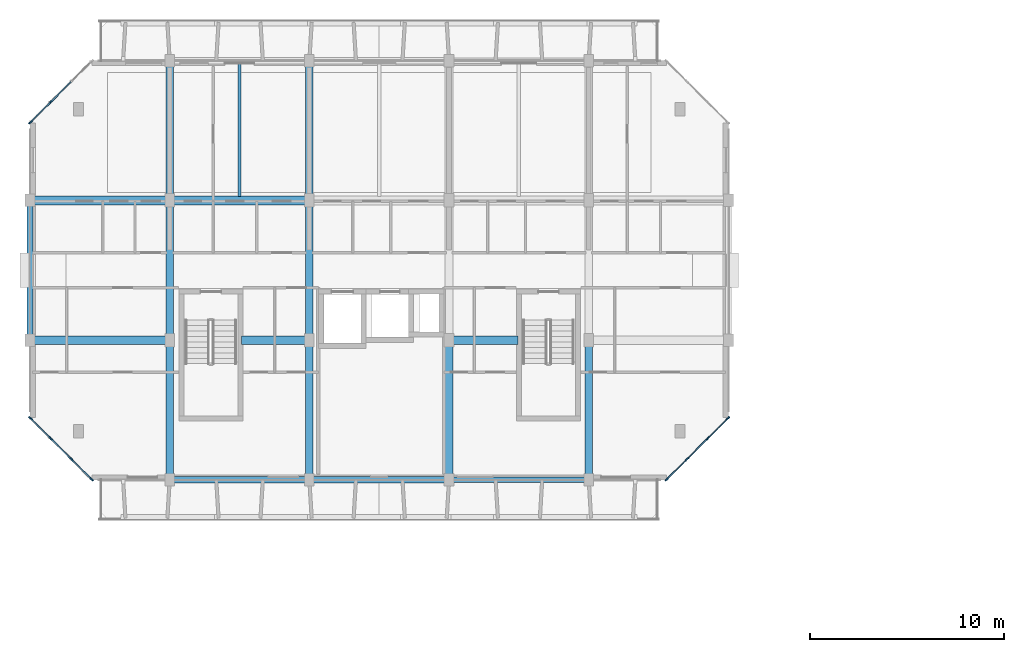
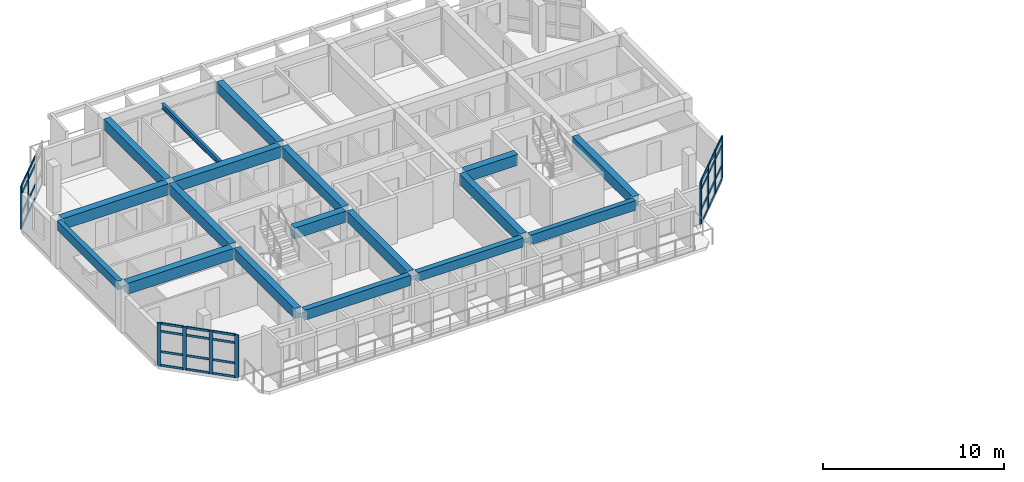
# One storey, part 4 of 43: 42 members, 18 beams, 3 elements without a shape of their own.
"""IFC4 building model written with IfcOpenShell, lengths in metres."""

from ifc_helpers import new_model, si_unit, direction, frame, origin, origin_2d, place, context, subcontext, project, spatial, rectangle, i_section, extrude, material, layer, layer_set, material_profile, profile_set, type_object, element, aggregate, save


model = new_model("IFC4")

# Units and contexts
model_context = context("Model", 3, precision=1e-05, world=origin(), true_north=direction((0.0, 1.0)))
body_context = subcontext(model_context, "Body", "Model", "MODEL_VIEW")
ifc_project = project(units=[si_unit("LENGTHUNIT", "METRE"), si_unit("AREAUNIT", "SQUARE_METRE"), si_unit("VOLUMEUNIT", "CUBIC_METRE"), si_unit("PLANEANGLEUNIT", "RADIAN"), si_unit("MASSUNIT", "GRAM", prefix="KILO")], contexts=[model_context])

# Site, building, storey
site_placement = place(None, origin())
site = spatial("IfcSite", under=ifc_project, at=site_placement, CompositionType="ELEMENT")
building_placement = place(site_placement, origin())
building = spatial("IfcBuilding", under=site, at=building_placement, Name="Ochrevale Crest", CompositionType="ELEMENT")
storey_placement = place(building_placement, frame((0.0, 0.0, 15.0)))
storey = spatial("IfcBuildingStorey", under=building, at=storey_placement, Name="L04", CompositionType="ELEMENT", Elevation=15.0)

# Beams
ifc_material_1 = material(Name="Precast concrete C50/60", Category="concrete")
ifc_material_profile_1 = material_profile(ifc_material_1, rectangle(XDim=0.39990234375, YDim=0.699951171875, at=origin_2d()), Name="PC 400x700")
ifc_profile_set_1 = profile_set([ifc_material_profile_1], Name="Precast concrete C50/60")
beam_type_1 = type_object("IfcBeamType", Name="BM-PC400x700", PredefinedType="BEAM", material=ifc_profile_set_1)
for number, where, z_axis, x_axis, name in (
    (1, (7.199951171875, 72.22998046875, 2.800048828125), (0.0, 1.0, 0.0), (-1.0, 0.0, 0.0), "Block B L04 N-S beam X=7.2"),
    (2, (7.199951171875, 79.429931640625, 2.800048828125), (0.0, 1.0, 0.0), (-1.0, 0.0, 0.0), "Block B L04 N-S beam X=7.2"),
):
    element("IfcBeam", number, at=place(storey_placement, frame(where, z_axis=z_axis, x_axis=x_axis)), inside=storey, type_object=beam_type_1, Name=name, PredefinedType="BEAM", context=body_context, shape_type="SweptSolid", body=[
        extrude(rectangle(XDim=0.39990234375, YDim=0.699951171875, at=origin_2d()), origin(), (0.0, 0.0, 1.0), 6.739990234375),
    ])
beam_1_placement = place(storey_placement, frame((7.199951171875, 86.6298828125, 2.800048828125), z_axis=(0.0, 1.0, 0.0), x_axis=(-1.0, 0.0, 0.0)))
element("IfcBeam", 3, at=beam_1_placement, inside=storey, type_object=beam_type_1, Name="Block B L04 N-S beam X=7.2", PredefinedType="BEAM", context=body_context, shape_type="SweptSolid", body=[
    extrude(rectangle(XDim=0.39990234375, YDim=0.699951171875, at=origin_2d()), origin(), (0.0, 0.0, 1.0), 6.740234375),
])
for number, where, z_axis, x_axis, name in (
    (4, (14.39990234375, 72.22998046875, 2.800048828125), (0.0, 1.0, 0.0), (-1.0, 0.0, 0.0), "Block B L04 N-S beam X=14.4"),
    (5, (14.39990234375, 79.429931640625, 2.800048828125), (0.0, 1.0, 0.0), (-1.0, 0.0, 0.0), "Block B L04 N-S beam X=14.4"),
):
    element("IfcBeam", number, at=place(storey_placement, frame(where, z_axis=z_axis, x_axis=x_axis)), inside=storey, type_object=beam_type_1, Name=name, PredefinedType="BEAM", context=body_context, shape_type="SweptSolid", body=[
        extrude(rectangle(XDim=0.39990234375, YDim=0.699951171875, at=origin_2d()), origin(), (0.0, 0.0, 1.0), 6.739990234375),
    ])
beam_2_placement = place(storey_placement, frame((14.39990234375, 86.6298828125, 2.800048828125), z_axis=(0.0, 1.0, 0.0), x_axis=(-1.0, 0.0, 0.0)))
element("IfcBeam", 6, at=beam_2_placement, inside=storey, type_object=beam_type_1, Name="Block B L04 N-S beam X=14.4", PredefinedType="BEAM", context=body_context, shape_type="SweptSolid", body=[
    extrude(rectangle(XDim=0.39990234375, YDim=0.699951171875, at=origin_2d()), origin(), (0.0, 0.0, 1.0), 6.740234375),
])
for number, where, z_axis, x_axis, name in (
    (7, (21.60009765625, 72.22998046875, 2.800048828125), (0.0, 1.0, 0.0), (-1.0, 0.0, 0.0), "Block B L04 N-S beam X=21.6"),
    (8, (28.800048828125, 72.22998046875, 2.800048828125), (0.0, 1.0, 0.0), (-1.0, 0.0, 0.0), "Block B L04 N-S beam X=28.8"),
):
    element("IfcBeam", number, at=place(storey_placement, frame(where, z_axis=z_axis, x_axis=x_axis)), inside=storey, type_object=beam_type_1, Name=name, PredefinedType="BEAM", context=body_context, shape_type="SweptSolid", body=[
        extrude(rectangle(XDim=0.39990234375, YDim=0.699951171875, at=origin_2d()), origin(), (0.0, 0.0, 1.0), 6.739990234375),
    ])
ifc_material_2 = material(Name="Concrete C50/60", Category="concrete")
ifc_material_profile_2 = material_profile(ifc_material_2, rectangle(XDim=0.449951171875, YDim=0.75, at=origin_2d()), Name="RC 450x750")
ifc_profile_set_2 = profile_set([ifc_material_profile_2], Name="Concrete C50/60")
beam_type_2 = type_object("IfcBeamType", Name="BM-PG450x750", PredefinedType="USERDEFINED", material=ifc_profile_set_2)
beam_3_placement = place(storey_placement, frame((0.22509765625, 79.199951171875, 2.77490234375), z_axis=(1.0, 0.0, 0.0), x_axis=(0.0, 1.0, 0.0)))
element("IfcBeam", 9, at=beam_3_placement, inside=storey, type_object=beam_type_2, Name="Block B L04 E-W beam Y=79.2", ObjectType="GIRDER", PredefinedType="USERDEFINED", context=body_context, shape_type="SweptSolid", body=[
    extrude(rectangle(XDim=0.449951171875, YDim=0.75, at=origin_2d()), origin(), (0.0, 0.0, 1.0), 6.75),
])
beam_4_placement = place(storey_placement, frame((10.889892578125, 79.199951171875, 2.77490234375), z_axis=(1.0, 0.0, 0.0), x_axis=(0.0, 1.0, 0.0)))
element("IfcBeam", 10, at=beam_4_placement, inside=storey, type_object=beam_type_2, Name="Block B L04 E-W beam Y=79.2", ObjectType="GIRDER", PredefinedType="USERDEFINED", context=body_context, shape_type="SweptSolid", body=[
    extrude(rectangle(XDim=0.449951171875, YDim=0.75, at=origin_2d()), origin(), (0.0, 0.0, 1.0), 3.28515625),
])
beam_5_placement = place(storey_placement, frame((21.824951171875, 79.199951171875, 2.77490234375), z_axis=(1.0, 0.0, 0.0), x_axis=(0.0, 1.0, 0.0)))
element("IfcBeam", 11, at=beam_5_placement, inside=storey, type_object=beam_type_2, Name="Block B L04 E-W beam Y=79.2", ObjectType="GIRDER", PredefinedType="USERDEFINED", context=body_context, shape_type="SweptSolid", body=[
    extrude(rectangle(XDim=0.449951171875, YDim=0.75, at=origin_2d()), origin(), (0.0, 0.0, 1.0), 3.3349609375),
])
for number, where, z_axis, x_axis, name in (
    (12, (0.22509765625, 86.39990234375, 2.77490234375), (1.0, 0.0, 0.0), (0.0, 1.0, 0.0), "Block B L04 E-W beam Y=86.4"),
    (13, (7.425048828125, 86.39990234375, 2.77490234375), (1.0, 0.0, 0.0), (0.0, 1.0, 0.0), "Block B L04 E-W beam Y=86.4"),
):
    element("IfcBeam", number, at=place(storey_placement, frame(where, z_axis=z_axis, x_axis=x_axis)), inside=storey, type_object=beam_type_2, Name=name, ObjectType="GIRDER", PredefinedType="USERDEFINED", context=body_context, shape_type="SweptSolid", body=[
        extrude(rectangle(XDim=0.449951171875, YDim=0.75, at=origin_2d()), origin(), (0.0, 0.0, 1.0), 6.75),
    ])
ifc_material_3 = material(Name="Precast concrete C40/50", Category="concrete")
ifc_material_profile_3 = material_profile(ifc_material_3, rectangle(XDim=0.300048828125, YDim=0.60009765625, at=origin_2d()), Name="PC 300x600")
ifc_profile_set_3 = profile_set([ifc_material_profile_3], Name="Precast concrete C40/50")
beam_type_3 = type_object("IfcBeamType", Name="BM-SP300x600", PredefinedType="SPANDREL", material=ifc_profile_set_3)
beam_6_placement = place(storey_placement, frame((0.0, 79.429931640625, 2.85009765625), z_axis=(0.0, 1.0, 0.0), x_axis=(-1.0, 0.0, 0.0)))
element("IfcBeam", 14, at=beam_6_placement, inside=storey, type_object=beam_type_3, Name="Block B L04 N-S beam X=0.0", PredefinedType="SPANDREL", context=body_context, shape_type="SweptSolid", body=[
    extrude(rectangle(XDim=0.300048828125, YDim=0.60009765625, at=origin_2d()), origin(), (0.0, 0.0, 1.0), 6.739990234375),
])
ifc_material_profile_4 = material_profile(ifc_material_3, rectangle(XDim=0.300048828125, YDim=0.64990234375, at=origin_2d()), Name="PC 300x650")
ifc_profile_set_4 = profile_set([ifc_material_profile_4], Name="Precast concrete C40/50")
beam_type_4 = type_object("IfcBeamType", Name="BM-SP300x650", PredefinedType="SPANDREL", material=ifc_profile_set_4)
beam_7_placement = place(storey_placement, frame((21.824951171875, 72.0, 2.824951171875), z_axis=(1.0, 0.0, 0.0), x_axis=(0.0, 1.0, 0.0)))
element("IfcBeam", 15, at=beam_7_placement, inside=storey, type_object=beam_type_4, Name="Block B L04 E-W beam Y=72.0", PredefinedType="SPANDREL", context=body_context, shape_type="SweptSolid", body=[
    extrude(rectangle(XDim=0.300048828125, YDim=0.64990234375, at=origin_2d()), origin(), (0.0, 0.0, 1.0), 6.75),
])
ifc_material_profile_5 = material_profile(ifc_material_3, rectangle(XDim=0.35009765625, YDim=0.60009765625, at=origin_2d()), Name="PC 350x600")
ifc_profile_set_5 = profile_set([ifc_material_profile_5], Name="Precast concrete C40/50")
beam_type_5 = type_object("IfcBeamType", Name="BM-SP350x600", PredefinedType="SPANDREL", material=ifc_profile_set_5)
beam_8_placement = place(storey_placement, frame((14.625, 72.0, 2.85009765625), z_axis=(1.0, 0.0, 0.0), x_axis=(0.0, 1.0, 0.0)))
element("IfcBeam", 16, at=beam_8_placement, inside=storey, type_object=beam_type_5, Name="Block B L04 E-W beam Y=72.0", PredefinedType="SPANDREL", context=body_context, shape_type="SweptSolid", body=[
    extrude(rectangle(XDim=0.35009765625, YDim=0.60009765625, at=origin_2d()), origin(), (0.0, 0.0, 1.0), 6.75),
])
ifc_material_profile_6 = material_profile(ifc_material_3, rectangle(XDim=0.35009765625, YDim=0.679931640625, at=origin_2d()), Name="PC 350x680")
ifc_profile_set_6 = profile_set([ifc_material_profile_6], Name="Precast concrete C40/50")
beam_type_6 = type_object("IfcBeamType", Name="BM-SP350x680", PredefinedType="SPANDREL", material=ifc_profile_set_6)
beam_9_placement = place(storey_placement, frame((7.425048828125, 72.0, 2.81005859375), z_axis=(1.0, 0.0, 0.0), x_axis=(0.0, 1.0, 0.0)))
element("IfcBeam", 17, at=beam_9_placement, inside=storey, type_object=beam_type_6, Name="Block B L04 E-W beam Y=72.0", PredefinedType="SPANDREL", context=body_context, shape_type="SweptSolid", body=[
    extrude(rectangle(XDim=0.35009765625, YDim=0.679931640625, at=origin_2d()), origin(), (0.0, 0.0, 1.0), 6.75),
])
ifc_material_4 = material(Name="Steel S355", Category="steel")
ifc_material_profile_7 = material_profile(ifc_material_4, i_section(OverallWidth=0.17138671875, OverallDepth=0.355712890625, WebThickness=0.00732421875, FlangeThickness=0.011474609375, FilletRadius=0.011474609375, at=origin_2d()), Name="360UB50.7")
ifc_profile_set_7 = profile_set([ifc_material_profile_7], Name="Steel S355")
beam_type_7 = type_object("IfcBeamType", Name="BM-UB360A", PredefinedType="BEAM", material=ifc_profile_set_7)
beam_10_placement = place(storey_placement, frame((10.800048828125, 86.613037109375, 2.697265625), z_axis=(0.0, 1.0, 0.0), x_axis=(-1.0, 0.0, 0.0)))
element("IfcBeam", 18, at=beam_10_placement, inside=storey, type_object=beam_type_7, Name="Block B L04 composite plank trimmer beam 2", PredefinedType="BEAM", context=body_context, shape_type="SweptSolid", body=[
    extrude(i_section(OverallWidth=0.17138671875, OverallDepth=0.355712890625, WebThickness=0.00732421875, FlangeThickness=0.011474609375, FilletRadius=0.011474609375, at=origin_2d()), origin(), (0.0, 0.0, 1.0), 6.823974609375),
])

# Curtain wall, members
ifc_material_5 = material(Name="Anodised aluminium 6063-T5", Category="aluminium")
ifc_layer_1 = layer(ifc_material_5, 0.14990234375)
ifc_layer_set_1 = layer_set([ifc_layer_1], Name="Anodised aluminium 6063-T5")
curtain_wall_type_1 = type_object("IfcCurtainWallType", Name="CW-WG-280x285", PredefinedType="NOTDEFINED", material=ifc_layer_set_1)
curtain_wall_1_placement = place(storey_placement, origin())
curtain_wall_1 = element("IfcCurtainWall", 19, at=curtain_wall_1_placement, inside=storey, type_object=curtain_wall_type_1, Name="Block B L04 chamfered corner wintergarden curtain wall 2", PredefinedType="NOTDEFINED")
ifc_material_profile_8 = material_profile(ifc_material_5, rectangle(XDim=0.074951171875, YDim=0.219970703125, at=origin_2d()), Name="ALU 75x220")
ifc_profile_set_8 = profile_set([ifc_material_profile_8], Name="Anodised aluminium 6063-T5")
member_type_1 = type_object("IfcMemberType", Name="CW-MUL-75x220", PredefinedType="MULLION", material=ifc_profile_set_8)
member_1_placement = place(storey_placement, frame((32.826416015625, 72.026611328125, 0.0), z_axis=(0.0, 0.0, 1.0), x_axis=(-0.707106781187, 0.707106781187, 0.0)))
member_1 = element("IfcMember", 20, at=member_1_placement, type_object=member_type_1, Name="CW16 mullion 1", PredefinedType="MULLION", context=body_context, shape_type="SweptSolid", body=[
    extrude(rectangle(XDim=0.074951171875, YDim=0.219970703125, at=origin_2d()), origin(), (0.0, 0.0, 1.0), 2.875),
])
member_2_placement = place(storey_placement, frame((33.86669921875, 73.066650390625, 0.0), z_axis=(0.0, 0.0, 1.0), x_axis=(-0.707106781187, 0.707106781187, 0.0)))
member_2 = element("IfcMember", 21, at=member_2_placement, type_object=member_type_1, Name="CW16 mullion 2", PredefinedType="MULLION", context=body_context, shape_type="SweptSolid", body=[
    extrude(rectangle(XDim=0.074951171875, YDim=0.219970703125, at=origin_2d()), origin(), (0.0, 0.0, 1.0), 2.875),
])
member_3_placement = place(storey_placement, frame((34.933349609375, 74.13330078125, 0.0), z_axis=(0.0, 0.0, 1.0), x_axis=(-0.707106781187, 0.707106781187, 0.0)))
member_3 = element("IfcMember", 22, at=member_3_placement, type_object=member_type_1, Name="CW16 mullion 3", PredefinedType="MULLION", context=body_context, shape_type="SweptSolid", body=[
    extrude(rectangle(XDim=0.074951171875, YDim=0.219970703125, at=origin_2d()), origin(), (0.0, 0.0, 1.0), 2.875),
])
member_4_placement = place(storey_placement, frame((35.973388671875, 75.173583984375, 0.0), z_axis=(0.0, 0.0, 1.0), x_axis=(-0.707106781187, 0.707106781187, 0.0)))
member_4 = element("IfcMember", 23, at=member_4_placement, type_object=member_type_1, Name="CW16 mullion 4", PredefinedType="MULLION", context=body_context, shape_type="SweptSolid", body=[
    extrude(rectangle(XDim=0.074951171875, YDim=0.219970703125, at=origin_2d()), origin(), (0.0, 0.0, 1.0), 2.875),
])

ifc_layer_2 = layer(ifc_material_5, 0.14990234375)
ifc_layer_set_2 = layer_set([ifc_layer_2], Name="Anodised aluminium 6063-T5")
curtain_wall_type_2 = type_object("IfcCurtainWallType", Name="CW-WG-240x285", PredefinedType="NOTDEFINED", material=ifc_layer_set_2)
curtain_wall_2_placement = place(storey_placement, origin())
curtain_wall_2 = element("IfcCurtainWall", 24, at=curtain_wall_2_placement, inside=storey, type_object=curtain_wall_type_2, Name="Block B L04 chamfered corner wintergarden curtain wall 6", PredefinedType="NOTDEFINED")
member_5_placement = place(storey_placement, frame((1.066650390625, 91.466552734375, 0.0), z_axis=(0.0, 0.0, 1.0), x_axis=(0.707106781187, -0.707106781187, 0.0)))
member_5 = element("IfcMember", 25, at=member_5_placement, type_object=member_type_1, Name="CW15 mullion 3", PredefinedType="MULLION", context=body_context, shape_type="SweptSolid", body=[
    extrude(rectangle(XDim=0.074951171875, YDim=0.219970703125, at=origin_2d()), origin(), (0.0, 0.0, 1.0), 2.875),
])
member_6_placement = place(storey_placement, frame((0.026611328125, 90.426513671875, 0.0), z_axis=(0.0, 0.0, 1.0), x_axis=(0.707106781187, -0.707106781187, 0.0)))
member_6 = element("IfcMember", 26, at=member_6_placement, type_object=member_type_1, Name="CW15 mullion 4", PredefinedType="MULLION", context=body_context, shape_type="SweptSolid", body=[
    extrude(rectangle(XDim=0.074951171875, YDim=0.219970703125, at=origin_2d()), origin(), (0.0, 0.0, 1.0), 2.875),
])

ifc_layer_3 = layer(ifc_material_5, 0.14990234375)
ifc_layer_set_3 = layer_set([ifc_layer_3], Name="Anodised aluminium 6063-T5")
curtain_wall_type_3 = type_object("IfcCurtainWallType", Name="CW-WG-320x285", PredefinedType="NOTDEFINED", material=ifc_layer_set_3)
curtain_wall_3_placement = place(storey_placement, origin())
curtain_wall_3 = element("IfcCurtainWall", 27, at=curtain_wall_3_placement, inside=storey, type_object=curtain_wall_type_3, Name="Block B L04 chamfered corner wintergarden curtain wall 8", PredefinedType="NOTDEFINED")
member_7_placement = place(storey_placement, frame((0.026611328125, 75.173583984375, 0.0), z_axis=(0.0, 0.0, 1.0), x_axis=(0.707106781187, 0.707106781187, 0.0)))
member_7 = element("IfcMember", 28, at=member_7_placement, type_object=member_type_1, Name="CW17 mullion 1", PredefinedType="MULLION", context=body_context, shape_type="SweptSolid", body=[
    extrude(rectangle(XDim=0.074951171875, YDim=0.219970703125, at=origin_2d()), origin(), (0.0, 0.0, 1.0), 2.875),
])
member_8_placement = place(storey_placement, frame((1.066650390625, 74.13330078125, 0.0), z_axis=(0.0, 0.0, 1.0), x_axis=(0.707106781187, 0.707106781187, 0.0)))
member_8 = element("IfcMember", 29, at=member_8_placement, type_object=member_type_1, Name="CW17 mullion 2", PredefinedType="MULLION", context=body_context, shape_type="SweptSolid", body=[
    extrude(rectangle(XDim=0.074951171875, YDim=0.219970703125, at=origin_2d()), origin(), (0.0, 0.0, 1.0), 2.875),
])
member_9_placement = place(storey_placement, frame((2.13330078125, 73.066650390625, 0.0), z_axis=(0.0, 0.0, 1.0), x_axis=(0.707106781187, 0.707106781187, 0.0)))
member_9 = element("IfcMember", 30, at=member_9_placement, type_object=member_type_1, Name="CW17 mullion 3", PredefinedType="MULLION", context=body_context, shape_type="SweptSolid", body=[
    extrude(rectangle(XDim=0.074951171875, YDim=0.219970703125, at=origin_2d()), origin(), (0.0, 0.0, 1.0), 2.875),
])
member_10_placement = place(storey_placement, frame((3.173583984375, 72.026611328125, 0.0), z_axis=(0.0, 0.0, 1.0), x_axis=(0.707106781187, 0.707106781187, 0.0)))
member_10 = element("IfcMember", 31, at=member_10_placement, type_object=member_type_1, Name="CW17 mullion 4", PredefinedType="MULLION", context=body_context, shape_type="SweptSolid", body=[
    extrude(rectangle(XDim=0.074951171875, YDim=0.219970703125, at=origin_2d()), origin(), (0.0, 0.0, 1.0), 2.875),
])

# Member
ifc_material_profile_9 = material_profile(ifc_material_5, rectangle(XDim=0.06005859375, YDim=0.14990234375, at=origin_2d()), Name="ALU 60x150")
ifc_profile_set_9 = profile_set([ifc_material_profile_9], Name="Anodised aluminium 6063-T5")
member_type_2 = type_object("IfcMemberType", Name="CW-TRN-60x150", PredefinedType="USERDEFINED", material=ifc_profile_set_9)
member_11_placement = place(storey_placement, frame((32.85302734375, 72.052978515625, 0.030029296875), z_axis=(0.707106781187, 0.707106781187, 0.0), x_axis=(-0.707106781187, 0.707106781187, 0.0)))
member_11 = element("IfcMember", 32, at=member_11_placement, type_object=member_type_2, Name="CW16 transom 1.1", ObjectType="TRANSOM", PredefinedType="USERDEFINED", context=body_context, shape_type="SweptSolid", body=[
    extrude(rectangle(XDim=0.06005859375, YDim=0.14990234375, at=origin_2d()), origin(), (0.0, 0.0, 1.0), 1.39599609375),
])

member_12_placement = place(storey_placement, frame((32.85302734375, 72.052978515625, 0.949951171875), z_axis=(0.707106781187, 0.707106781187, 0.0), x_axis=(-0.707106781187, 0.707106781187, 0.0)))
member_12 = element("IfcMember", 33, at=member_12_placement, type_object=member_type_2, Name="CW16 transom 1.2", ObjectType="TRANSOM", PredefinedType="USERDEFINED", context=body_context, shape_type="SweptSolid", body=[
    extrude(rectangle(XDim=0.06005859375, YDim=0.14990234375, at=origin_2d()), origin(), (0.0, 0.0, 1.0), 1.39599609375),
])

member_13_placement = place(storey_placement, frame((32.85302734375, 72.052978515625, 2.324951171875), z_axis=(0.707106781187, 0.707106781187, 0.0), x_axis=(-0.707106781187, 0.707106781187, 0.0)))
member_13 = element("IfcMember", 34, at=member_13_placement, type_object=member_type_2, Name="CW16 transom 1.3", ObjectType="TRANSOM", PredefinedType="USERDEFINED", context=body_context, shape_type="SweptSolid", body=[
    extrude(rectangle(XDim=0.06005859375, YDim=0.14990234375, at=origin_2d()), origin(), (0.0, 0.0, 1.0), 1.39599609375),
])

member_14_placement = place(storey_placement, frame((32.85302734375, 72.052978515625, 2.844970703125), z_axis=(0.707106781187, 0.707106781187, 0.0), x_axis=(-0.707106781187, 0.707106781187, 0.0)))
member_14 = element("IfcMember", 35, at=member_14_placement, type_object=member_type_2, Name="CW16 transom 1.4", ObjectType="TRANSOM", PredefinedType="USERDEFINED", context=body_context, shape_type="SweptSolid", body=[
    extrude(rectangle(XDim=0.06005859375, YDim=0.14990234375, at=origin_2d()), origin(), (0.0, 0.0, 1.0), 1.39599609375),
])

member_15_placement = place(storey_placement, frame((33.89306640625, 73.09326171875, 0.030029296875), z_axis=(0.707106781187, 0.707106781187, 0.0), x_axis=(-0.707106781187, 0.707106781187, 0.0)))
member_15 = element("IfcMember", 36, at=member_15_placement, type_object=member_type_2, Name="CW16 transom 2.1", ObjectType="TRANSOM", PredefinedType="USERDEFINED", context=body_context, shape_type="SweptSolid", body=[
    extrude(rectangle(XDim=0.06005859375, YDim=0.14990234375, at=origin_2d()), origin(), (0.0, 0.0, 1.0), 1.43359375),
])

member_16_placement = place(storey_placement, frame((33.89306640625, 73.09326171875, 0.949951171875), z_axis=(0.707106781187, 0.707106781187, 0.0), x_axis=(-0.707106781187, 0.707106781187, 0.0)))
member_16 = element("IfcMember", 37, at=member_16_placement, type_object=member_type_2, Name="CW16 transom 2.2", ObjectType="TRANSOM", PredefinedType="USERDEFINED", context=body_context, shape_type="SweptSolid", body=[
    extrude(rectangle(XDim=0.06005859375, YDim=0.14990234375, at=origin_2d()), origin(), (0.0, 0.0, 1.0), 1.43359375),
])

member_17_placement = place(storey_placement, frame((33.89306640625, 73.09326171875, 2.324951171875), z_axis=(0.707106781187, 0.707106781187, 0.0), x_axis=(-0.707106781187, 0.707106781187, 0.0)))
member_17 = element("IfcMember", 38, at=member_17_placement, type_object=member_type_2, Name="CW16 transom 2.3", ObjectType="TRANSOM", PredefinedType="USERDEFINED", context=body_context, shape_type="SweptSolid", body=[
    extrude(rectangle(XDim=0.06005859375, YDim=0.14990234375, at=origin_2d()), origin(), (0.0, 0.0, 1.0), 1.43359375),
])

member_18_placement = place(storey_placement, frame((33.89306640625, 73.09326171875, 2.844970703125), z_axis=(0.707106781187, 0.707106781187, 0.0), x_axis=(-0.707106781187, 0.707106781187, 0.0)))
member_18 = element("IfcMember", 39, at=member_18_placement, type_object=member_type_2, Name="CW16 transom 2.4", ObjectType="TRANSOM", PredefinedType="USERDEFINED", context=body_context, shape_type="SweptSolid", body=[
    extrude(rectangle(XDim=0.06005859375, YDim=0.14990234375, at=origin_2d()), origin(), (0.0, 0.0, 1.0), 1.43359375),
])

member_19_placement = place(storey_placement, frame((34.9599609375, 74.159912109375, 0.030029296875), z_axis=(0.707106781187, 0.707106781187, 0.0), x_axis=(-0.707106781187, 0.707106781187, 0.0)))
member_19 = element("IfcMember", 40, at=member_19_placement, type_object=member_type_2, Name="CW16 transom 3.1", ObjectType="TRANSOM", PredefinedType="USERDEFINED", context=body_context, shape_type="SweptSolid", body=[
    extrude(rectangle(XDim=0.06005859375, YDim=0.14990234375, at=origin_2d()), origin(), (0.0, 0.0, 1.0), 1.39599609375),
])

member_20_placement = place(storey_placement, frame((34.9599609375, 74.159912109375, 0.949951171875), z_axis=(0.707106781187, 0.707106781187, 0.0), x_axis=(-0.707106781187, 0.707106781187, 0.0)))
member_20 = element("IfcMember", 41, at=member_20_placement, type_object=member_type_2, Name="CW16 transom 3.2", ObjectType="TRANSOM", PredefinedType="USERDEFINED", context=body_context, shape_type="SweptSolid", body=[
    extrude(rectangle(XDim=0.06005859375, YDim=0.14990234375, at=origin_2d()), origin(), (0.0, 0.0, 1.0), 1.39599609375),
])

member_21_placement = place(storey_placement, frame((34.9599609375, 74.159912109375, 2.324951171875), z_axis=(0.707106781187, 0.707106781187, 0.0), x_axis=(-0.707106781187, 0.707106781187, 0.0)))
member_21 = element("IfcMember", 42, at=member_21_placement, type_object=member_type_2, Name="CW16 transom 3.3", ObjectType="TRANSOM", PredefinedType="USERDEFINED", context=body_context, shape_type="SweptSolid", body=[
    extrude(rectangle(XDim=0.06005859375, YDim=0.14990234375, at=origin_2d()), origin(), (0.0, 0.0, 1.0), 1.39599609375),
])

member_22_placement = place(storey_placement, frame((34.9599609375, 74.159912109375, 2.844970703125), z_axis=(0.707106781187, 0.707106781187, 0.0), x_axis=(-0.707106781187, 0.707106781187, 0.0)))
member_22 = element("IfcMember", 43, at=member_22_placement, type_object=member_type_2, Name="CW16 transom 3.4", ObjectType="TRANSOM", PredefinedType="USERDEFINED", context=body_context, shape_type="SweptSolid", body=[
    extrude(rectangle(XDim=0.06005859375, YDim=0.14990234375, at=origin_2d()), origin(), (0.0, 0.0, 1.0), 1.39599609375),
])

aggregate(curtain_wall_1, [member_1, member_2, member_3, member_4, member_11, member_12, member_13, member_14, member_15, member_16, member_17, member_18, member_19, member_20, member_21, member_22])

member_23_placement = place(storey_placement, frame((2.10693359375, 92.5068359375, 0.030029296875), z_axis=(-0.707106781187, -0.707106781187, 0.0), x_axis=(0.707106781187, -0.707106781187, 0.0)))
member_23 = element("IfcMember", 44, at=member_23_placement, type_object=member_type_2, Name="CW15 transom 2.1", ObjectType="TRANSOM", PredefinedType="USERDEFINED", context=body_context, shape_type="SweptSolid", body=[
    extrude(rectangle(XDim=0.06005859375, YDim=0.14990234375, at=origin_2d()), origin(), (0.0, 0.0, 1.0), 1.43359375),
])

member_24_placement = place(storey_placement, frame((2.10693359375, 92.5068359375, 0.949951171875), z_axis=(-0.707106781187, -0.707106781187, 0.0), x_axis=(0.707106781187, -0.707106781187, 0.0)))
member_24 = element("IfcMember", 45, at=member_24_placement, type_object=member_type_2, Name="CW15 transom 2.2", ObjectType="TRANSOM", PredefinedType="USERDEFINED", context=body_context, shape_type="SweptSolid", body=[
    extrude(rectangle(XDim=0.06005859375, YDim=0.14990234375, at=origin_2d()), origin(), (0.0, 0.0, 1.0), 1.43359375),
])

member_25_placement = place(storey_placement, frame((2.10693359375, 92.5068359375, 2.324951171875), z_axis=(-0.707106781187, -0.707106781187, 0.0), x_axis=(0.707106781187, -0.707106781187, 0.0)))
member_25 = element("IfcMember", 46, at=member_25_placement, type_object=member_type_2, Name="CW15 transom 2.3", ObjectType="TRANSOM", PredefinedType="USERDEFINED", context=body_context, shape_type="SweptSolid", body=[
    extrude(rectangle(XDim=0.06005859375, YDim=0.14990234375, at=origin_2d()), origin(), (0.0, 0.0, 1.0), 1.43359375),
])

member_26_placement = place(storey_placement, frame((2.10693359375, 92.5068359375, 2.844970703125), z_axis=(-0.707106781187, -0.707106781187, 0.0), x_axis=(0.707106781187, -0.707106781187, 0.0)))
member_26 = element("IfcMember", 47, at=member_26_placement, type_object=member_type_2, Name="CW15 transom 2.4", ObjectType="TRANSOM", PredefinedType="USERDEFINED", context=body_context, shape_type="SweptSolid", body=[
    extrude(rectangle(XDim=0.06005859375, YDim=0.14990234375, at=origin_2d()), origin(), (0.0, 0.0, 1.0), 1.43359375),
])

member_27_placement = place(storey_placement, frame((1.0400390625, 91.440185546875, 0.030029296875), z_axis=(-0.707106781187, -0.707106781187, 0.0), x_axis=(0.707106781187, -0.707106781187, 0.0)))
member_27 = element("IfcMember", 48, at=member_27_placement, type_object=member_type_2, Name="CW15 transom 3.1", ObjectType="TRANSOM", PredefinedType="USERDEFINED", context=body_context, shape_type="SweptSolid", body=[
    extrude(rectangle(XDim=0.06005859375, YDim=0.14990234375, at=origin_2d()), origin(), (0.0, 0.0, 1.0), 1.39599609375),
])

member_28_placement = place(storey_placement, frame((1.0400390625, 91.440185546875, 0.949951171875), z_axis=(-0.707106781187, -0.707106781187, 0.0), x_axis=(0.707106781187, -0.707106781187, 0.0)))
member_28 = element("IfcMember", 49, at=member_28_placement, type_object=member_type_2, Name="CW15 transom 3.2", ObjectType="TRANSOM", PredefinedType="USERDEFINED", context=body_context, shape_type="SweptSolid", body=[
    extrude(rectangle(XDim=0.06005859375, YDim=0.14990234375, at=origin_2d()), origin(), (0.0, 0.0, 1.0), 1.39599609375),
])

member_29_placement = place(storey_placement, frame((1.0400390625, 91.440185546875, 2.324951171875), z_axis=(-0.707106781187, -0.707106781187, 0.0), x_axis=(0.707106781187, -0.707106781187, 0.0)))
member_29 = element("IfcMember", 50, at=member_29_placement, type_object=member_type_2, Name="CW15 transom 3.3", ObjectType="TRANSOM", PredefinedType="USERDEFINED", context=body_context, shape_type="SweptSolid", body=[
    extrude(rectangle(XDim=0.06005859375, YDim=0.14990234375, at=origin_2d()), origin(), (0.0, 0.0, 1.0), 1.39599609375),
])

member_30_placement = place(storey_placement, frame((1.0400390625, 91.440185546875, 2.844970703125), z_axis=(-0.707106781187, -0.707106781187, 0.0), x_axis=(0.707106781187, -0.707106781187, 0.0)))
member_30 = element("IfcMember", 51, at=member_30_placement, type_object=member_type_2, Name="CW15 transom 3.4", ObjectType="TRANSOM", PredefinedType="USERDEFINED", context=body_context, shape_type="SweptSolid", body=[
    extrude(rectangle(XDim=0.06005859375, YDim=0.14990234375, at=origin_2d()), origin(), (0.0, 0.0, 1.0), 1.39599609375),
])

aggregate(curtain_wall_2, [member_5, member_6, member_23, member_24, member_25, member_26, member_27, member_28, member_29, member_30])

member_31_placement = place(storey_placement, frame((0.052978515625, 75.14697265625, 0.030029296875), z_axis=(0.707106781187, -0.707106781187, 0.0), x_axis=(0.707106781187, 0.707106781187, 0.0)))
member_31 = element("IfcMember", 52, at=member_31_placement, type_object=member_type_2, Name="CW17 transom 1.1", ObjectType="TRANSOM", PredefinedType="USERDEFINED", context=body_context, shape_type="SweptSolid", body=[
    extrude(rectangle(XDim=0.06005859375, YDim=0.14990234375, at=origin_2d()), origin(), (0.0, 0.0, 1.0), 1.39599609375),
])

member_32_placement = place(storey_placement, frame((0.052978515625, 75.14697265625, 0.949951171875), z_axis=(0.707106781187, -0.707106781187, 0.0), x_axis=(0.707106781187, 0.707106781187, 0.0)))
member_32 = element("IfcMember", 53, at=member_32_placement, type_object=member_type_2, Name="CW17 transom 1.2", ObjectType="TRANSOM", PredefinedType="USERDEFINED", context=body_context, shape_type="SweptSolid", body=[
    extrude(rectangle(XDim=0.06005859375, YDim=0.14990234375, at=origin_2d()), origin(), (0.0, 0.0, 1.0), 1.39599609375),
])

member_33_placement = place(storey_placement, frame((0.052978515625, 75.14697265625, 2.324951171875), z_axis=(0.707106781187, -0.707106781187, 0.0), x_axis=(0.707106781187, 0.707106781187, 0.0)))
member_33 = element("IfcMember", 54, at=member_33_placement, type_object=member_type_2, Name="CW17 transom 1.3", ObjectType="TRANSOM", PredefinedType="USERDEFINED", context=body_context, shape_type="SweptSolid", body=[
    extrude(rectangle(XDim=0.06005859375, YDim=0.14990234375, at=origin_2d()), origin(), (0.0, 0.0, 1.0), 1.39599609375),
])

member_34_placement = place(storey_placement, frame((0.052978515625, 75.14697265625, 2.844970703125), z_axis=(0.707106781187, -0.707106781187, 0.0), x_axis=(0.707106781187, 0.707106781187, 0.0)))
member_34 = element("IfcMember", 55, at=member_34_placement, type_object=member_type_2, Name="CW17 transom 1.4", ObjectType="TRANSOM", PredefinedType="USERDEFINED", context=body_context, shape_type="SweptSolid", body=[
    extrude(rectangle(XDim=0.06005859375, YDim=0.14990234375, at=origin_2d()), origin(), (0.0, 0.0, 1.0), 1.39599609375),
])

member_35_placement = place(storey_placement, frame((1.09326171875, 74.10693359375, 0.030029296875), z_axis=(0.707106781187, -0.707106781187, 0.0), x_axis=(0.707106781187, 0.707106781187, 0.0)))
member_35 = element("IfcMember", 56, at=member_35_placement, type_object=member_type_2, Name="CW17 transom 2.1", ObjectType="TRANSOM", PredefinedType="USERDEFINED", context=body_context, shape_type="SweptSolid", body=[
    extrude(rectangle(XDim=0.06005859375, YDim=0.14990234375, at=origin_2d()), origin(), (0.0, 0.0, 1.0), 1.43359375),
])

member_36_placement = place(storey_placement, frame((1.09326171875, 74.10693359375, 0.949951171875), z_axis=(0.707106781187, -0.707106781187, 0.0), x_axis=(0.707106781187, 0.707106781187, 0.0)))
member_36 = element("IfcMember", 57, at=member_36_placement, type_object=member_type_2, Name="CW17 transom 2.2", ObjectType="TRANSOM", PredefinedType="USERDEFINED", context=body_context, shape_type="SweptSolid", body=[
    extrude(rectangle(XDim=0.06005859375, YDim=0.14990234375, at=origin_2d()), origin(), (0.0, 0.0, 1.0), 1.43359375),
])

member_37_placement = place(storey_placement, frame((1.09326171875, 74.10693359375, 2.324951171875), z_axis=(0.707106781187, -0.707106781187, 0.0), x_axis=(0.707106781187, 0.707106781187, 0.0)))
member_37 = element("IfcMember", 58, at=member_37_placement, type_object=member_type_2, Name="CW17 transom 2.3", ObjectType="TRANSOM", PredefinedType="USERDEFINED", context=body_context, shape_type="SweptSolid", body=[
    extrude(rectangle(XDim=0.06005859375, YDim=0.14990234375, at=origin_2d()), origin(), (0.0, 0.0, 1.0), 1.43359375),
])

member_38_placement = place(storey_placement, frame((1.09326171875, 74.10693359375, 2.844970703125), z_axis=(0.707106781187, -0.707106781187, 0.0), x_axis=(0.707106781187, 0.707106781187, 0.0)))
member_38 = element("IfcMember", 59, at=member_38_placement, type_object=member_type_2, Name="CW17 transom 2.4", ObjectType="TRANSOM", PredefinedType="USERDEFINED", context=body_context, shape_type="SweptSolid", body=[
    extrude(rectangle(XDim=0.06005859375, YDim=0.14990234375, at=origin_2d()), origin(), (0.0, 0.0, 1.0), 1.43359375),
])

member_39_placement = place(storey_placement, frame((2.159912109375, 73.0400390625, 0.030029296875), z_axis=(0.707106781187, -0.707106781187, 0.0), x_axis=(0.707106781187, 0.707106781187, 0.0)))
member_39 = element("IfcMember", 60, at=member_39_placement, type_object=member_type_2, Name="CW17 transom 3.1", ObjectType="TRANSOM", PredefinedType="USERDEFINED", context=body_context, shape_type="SweptSolid", body=[
    extrude(rectangle(XDim=0.06005859375, YDim=0.14990234375, at=origin_2d()), origin(), (0.0, 0.0, 1.0), 1.39599609375),
])

member_40_placement = place(storey_placement, frame((2.159912109375, 73.0400390625, 0.949951171875), z_axis=(0.707106781187, -0.707106781187, 0.0), x_axis=(0.707106781187, 0.707106781187, 0.0)))
member_40 = element("IfcMember", 61, at=member_40_placement, type_object=member_type_2, Name="CW17 transom 3.2", ObjectType="TRANSOM", PredefinedType="USERDEFINED", context=body_context, shape_type="SweptSolid", body=[
    extrude(rectangle(XDim=0.06005859375, YDim=0.14990234375, at=origin_2d()), origin(), (0.0, 0.0, 1.0), 1.39599609375),
])

member_41_placement = place(storey_placement, frame((2.159912109375, 73.0400390625, 2.324951171875), z_axis=(0.707106781187, -0.707106781187, 0.0), x_axis=(0.707106781187, 0.707106781187, 0.0)))
member_41 = element("IfcMember", 62, at=member_41_placement, type_object=member_type_2, Name="CW17 transom 3.3", ObjectType="TRANSOM", PredefinedType="USERDEFINED", context=body_context, shape_type="SweptSolid", body=[
    extrude(rectangle(XDim=0.06005859375, YDim=0.14990234375, at=origin_2d()), origin(), (0.0, 0.0, 1.0), 1.39599609375),
])

member_42_placement = place(storey_placement, frame((2.159912109375, 73.0400390625, 2.844970703125), z_axis=(0.707106781187, -0.707106781187, 0.0), x_axis=(0.707106781187, 0.707106781187, 0.0)))
member_42 = element("IfcMember", 63, at=member_42_placement, type_object=member_type_2, Name="CW17 transom 3.4", ObjectType="TRANSOM", PredefinedType="USERDEFINED", context=body_context, shape_type="SweptSolid", body=[
    extrude(rectangle(XDim=0.06005859375, YDim=0.14990234375, at=origin_2d()), origin(), (0.0, 0.0, 1.0), 1.39599609375),
])

aggregate(curtain_wall_3, [member_7, member_8, member_9, member_10, member_31, member_32, member_33, member_34, member_35, member_36, member_37, member_38, member_39, member_40, member_41, member_42])

save(model, "model.ifc")
